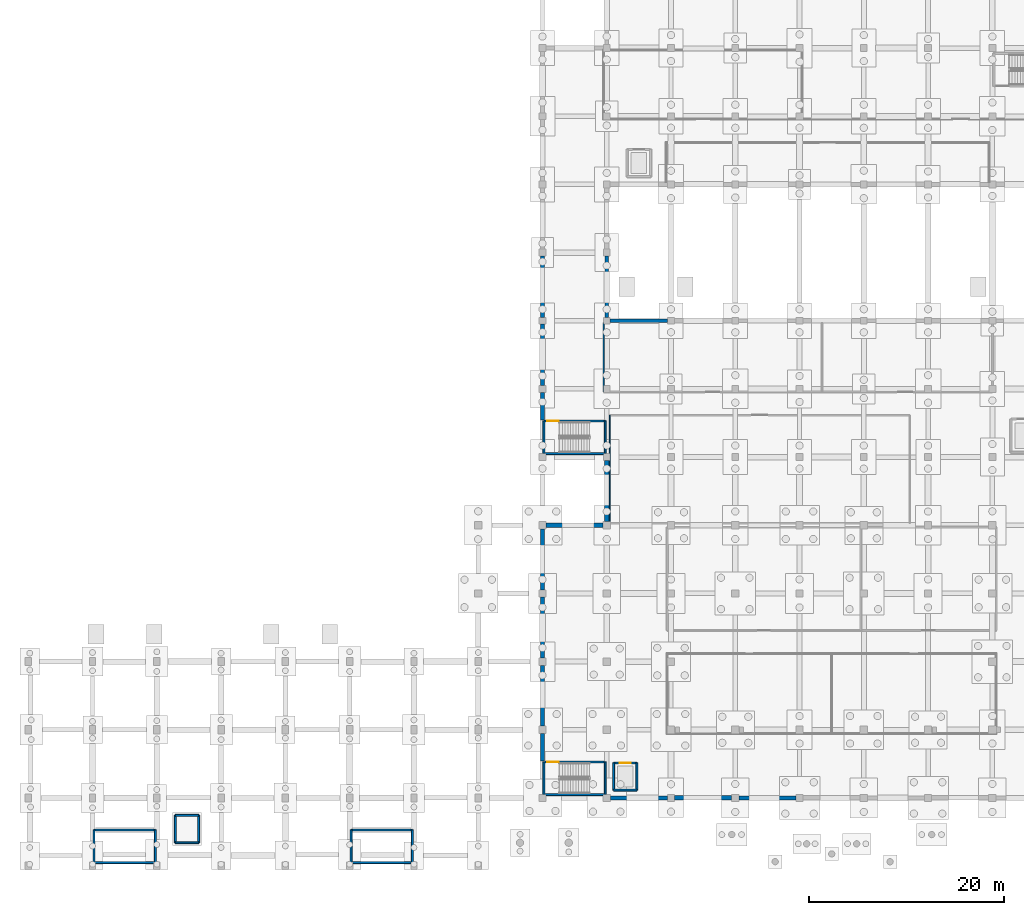
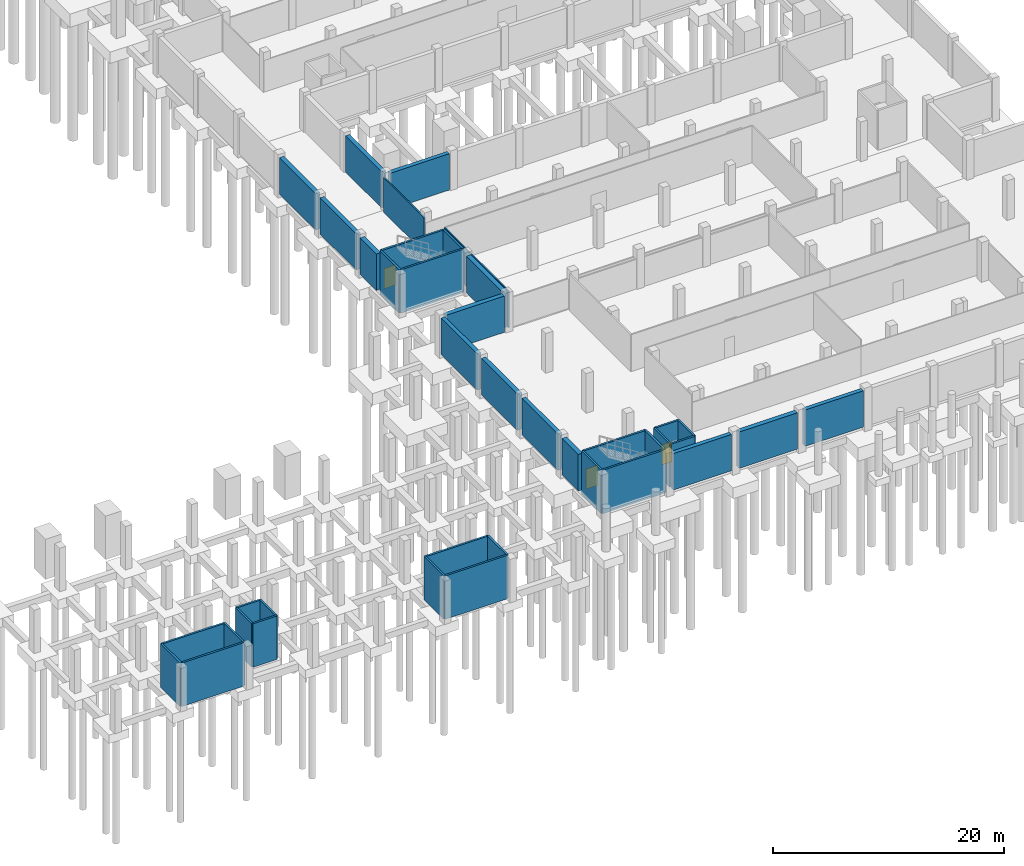
# One storey, part 16 of 27: 40 walls, 3 doors, 3 openings.
"""IFC4 building model written with IfcOpenShell, lengths in metres."""

from ifc_helpers import new_model, si_unit, direction, frame, frame_2d, origin, place, context, subcontext, project, spatial, rectangle, extrude, material, layer, layer_set, type_object, element, fill, save


model = new_model("IFC4")

# Units and contexts
model_context = context("Model", 3, precision=1e-05, world=origin(), true_north=direction((0.0, 1.0)))
body_context = subcontext(model_context, "Body", "Model", "MODEL_VIEW")
ifc_project = project(units=[si_unit("LENGTHUNIT", "METRE"), si_unit("AREAUNIT", "SQUARE_METRE"), si_unit("VOLUMEUNIT", "CUBIC_METRE"), si_unit("PLANEANGLEUNIT", "RADIAN"), si_unit("MASSUNIT", "GRAM", prefix="KILO")], contexts=[model_context])

# Site, building, storey
site_placement = place(None, origin())
site = spatial("IfcSite", under=ifc_project, at=site_placement, CompositionType="ELEMENT")
building_placement = place(site_placement, origin())
building = spatial("IfcBuilding", under=site, at=building_placement, Name="Ciguamira Faculty of Natural Sciences", CompositionType="ELEMENT")
storey_placement = place(building_placement, frame((0.0, 0.0, -4.199951171875)))
storey = spatial("IfcBuildingStorey", under=building, at=storey_placement, Name="B1", CompositionType="ELEMENT", Elevation=-4.199951171875)

# Walls
ifc_material_1 = material(Name="Concrete C40/50", Category="concrete")
ifc_layer_1 = layer(ifc_material_1, 0.449951171875, Name="Concrete C40/50")
ifc_layer_set_1 = layer_set([ifc_layer_1], Name="Concrete C40/50")
wall_type_1 = type_object("IfcWallType", Name="ExtWall_RW-01_450", PredefinedType="SHEAR", material=ifc_layer_set_1)
wall_1_placement = place(storey_placement, frame((70.875, 10.0, 0.0), z_axis=(0.0, 0.0, 1.0), x_axis=(1.0, 0.0, 0.0)))
element("IfcWall", 1, at=wall_1_placement, inside=storey, type_object=wall_type_1, Name="B1 exterior wall 0002", PredefinedType="SHEAR", context=body_context, shape_type="SweptSolid", body=[
    extrude(rectangle(XDim=5.85009765625, YDim=0.449951171875, at=frame_2d((2.925048828125, 0.0))), origin(), (0.0, 0.0, 1.0), 3.849853515625),
])
wall_2_placement = place(storey_placement, frame((57.675048828125, 38.0, 0.0), z_axis=(0.0, 0.0, 1.0), x_axis=(1.0, 0.0, 0.0)))
element("IfcWall", 2, at=wall_2_placement, inside=storey, type_object=wall_type_1, Name="B1 exterior wall 0008", PredefinedType="SHEAR", context=body_context, shape_type="SweptSolid", body=[
    extrude(rectangle(XDim=5.849853515625, YDim=0.449951171875, at=frame_2d((2.9248046875, 0.0))), origin(), (0.0, 0.0, 1.0), 3.849853515625),
])
wall_3_placement = place(storey_placement, frame((57.300048828125, 13.81005859375, 0.0), z_axis=(0.0, 0.0, 1.0), x_axis=(0.0, 1.0, 0.0)))
element("IfcWall", 3, at=wall_3_placement, inside=storey, type_object=wall_type_1, Name="B1 exterior wall 0034", PredefinedType="SHEAR", context=body_context, shape_type="SweptSolid", body=[
    extrude(rectangle(XDim=2.81494140625, YDim=0.449951171875, at=frame_2d((1.407470703125, 0.0))), origin(), (0.0, 0.0, 1.0), 3.849853515625),
])
wall_4_placement = place(storey_placement, frame((57.300048828125, 24.375, 0.0), z_axis=(0.0, 0.0, 1.0), x_axis=(0.0, 1.0, 0.0)))
element("IfcWall", 4, at=wall_4_placement, inside=storey, type_object=wall_type_1, Name="B1 exterior wall 0036", PredefinedType="SHEAR", context=body_context, shape_type="SweptSolid", body=[
    extrude(rectangle(XDim=6.25, YDim=0.449951171875, at=frame_2d((3.125, 0.0))), origin(), (0.0, 0.0, 1.0), 3.849853515625),
])
wall_5_placement = place(storey_placement, frame((57.300048828125, 48.81005859375, 0.0), z_axis=(0.0, 0.0, 1.0), x_axis=(0.0, 1.0, 0.0)))
element("IfcWall", 5, at=wall_5_placement, inside=storey, type_object=wall_type_1, Name="B1 exterior wall 0038", PredefinedType="SHEAR", context=body_context, shape_type="SweptSolid", body=[
    extrude(rectangle(XDim=2.83984375, YDim=0.449951171875, at=frame_2d((1.419921875, 0.0))), origin(), (0.0, 0.0, 1.0), 3.849853515625),
])
wall_6_placement = place(storey_placement, frame((57.300048828125, 59.35009765625, 0.0), z_axis=(0.0, 0.0, 1.0), x_axis=(0.0, 1.0, 0.0)))
element("IfcWall", 6, at=wall_6_placement, inside=storey, type_object=wall_type_1, Name="B1 exterior wall 0040", PredefinedType="SHEAR", context=body_context, shape_type="SweptSolid", body=[
    extrude(rectangle(XDim=6.2998046875, YDim=0.449951171875, at=frame_2d((3.14990234375, 0.0))), origin(), (0.0, 0.0, 1.0), 3.849853515625),
])
wall_7_placement = place(storey_placement, frame((63.89990234375, 38.375, 0.0), z_axis=(0.0, 0.0, 1.0), x_axis=(0.0, 1.0, 0.0)))
element("IfcWall", 7, at=wall_7_placement, inside=storey, type_object=wall_type_1, Name="B1 exterior wall 0044", PredefinedType="SHEAR", context=body_context, shape_type="SweptSolid", body=[
    extrude(rectangle(XDim=6.27490234375, YDim=0.449951171875, at=frame_2d((3.137451171875, 0.0))), origin(), (0.0, 0.0, 1.0), 3.849853515625),
])
ifc_layer_2 = layer(ifc_material_1, 0.39990234375, Name="Concrete C40/50")
ifc_layer_set_2 = layer_set([ifc_layer_2], Name="Concrete C40/50")
wall_type_2 = type_object("IfcWallType", Name="ExtWall_RW-02_400", PredefinedType="SHEAR", material=ifc_layer_set_2)
wall_8_placement = place(storey_placement, frame((64.27490234375, 10.0, 0.0), z_axis=(0.0, 0.0, 1.0), x_axis=(1.0, 0.0, 0.0)))
element("IfcWall", 8, at=wall_8_placement, inside=storey, type_object=wall_type_2, Name="B1 exterior wall 0001", PredefinedType="SHEAR", context=body_context, shape_type="SweptSolid", body=[
    extrude(rectangle(XDim=5.85009765625, YDim=0.39990234375, at=frame_2d((2.925048828125, 0.0))), origin(), (0.0, 0.0, 1.0), 3.849853515625),
])
wall_9_placement = place(storey_placement, frame((77.47509765625, 10.0, 0.0), z_axis=(0.0, 0.0, 1.0), x_axis=(1.0, 0.0, 0.0)))
element("IfcWall", 9, at=wall_9_placement, inside=storey, type_object=wall_type_2, Name="B1 exterior wall 0003", PredefinedType="SHEAR", context=body_context, shape_type="SweptSolid", body=[
    extrude(rectangle(XDim=5.849853515625, YDim=0.39990234375, at=frame_2d((2.9248046875, 0.0))), origin(), (0.0, 0.0, 1.0), 3.849853515625),
])
wall_10_placement = place(storey_placement, frame((64.25, 59.0, 0.0), z_axis=(0.0, 0.0, 1.0), x_axis=(1.0, 0.0, 0.0)))
element("IfcWall", 10, at=wall_10_placement, inside=storey, type_object=wall_type_2, Name="B1 exterior wall 0011", PredefinedType="SHEAR", context=body_context, shape_type="SweptSolid", body=[
    extrude(rectangle(XDim=5.89990234375, YDim=0.39990234375, at=frame_2d((2.949951171875, 0.0))), origin(), (0.0, 0.0, 1.0), 3.849853515625),
])
for number, where, z_axis, x_axis, name in (
    (11, (57.300048828125, 17.375, 0.0), (0.0, 0.0, 1.0), (0.0, 1.0, 0.0), "B1 exterior wall 0035"),
    (12, (57.300048828125, 31.375, 0.0), (0.0, 0.0, 1.0), (0.0, 1.0, 0.0), "B1 exterior wall 0037"),
):
    element("IfcWall", number, at=place(storey_placement, frame(where, z_axis=z_axis, x_axis=x_axis)), inside=storey, type_object=wall_type_2, Name=name, PredefinedType="SHEAR", context=body_context, shape_type="SweptSolid", body=[
        extrude(rectangle(XDim=6.25, YDim=0.39990234375, at=frame_2d((3.125, 0.0))), origin(), (0.0, 0.0, 1.0), 3.849853515625),
    ])
for number, where, z_axis, x_axis, name in (
    (13, (57.300048828125, 52.35009765625, 0.0), (0.0, 0.0, 1.0), (0.0, 1.0, 0.0), "B1 exterior wall 0039"),
    (14, (63.89990234375, 59.35009765625, 0.0), (0.0, 0.0, 1.0), (0.0, 1.0, 0.0), "B1 exterior wall 0045"),
):
    element("IfcWall", number, at=place(storey_placement, frame(where, z_axis=z_axis, x_axis=x_axis)), inside=storey, type_object=wall_type_2, Name=name, PredefinedType="SHEAR", context=body_context, shape_type="SweptSolid", body=[
        extrude(rectangle(XDim=6.2998046875, YDim=0.39990234375, at=frame_2d((3.14990234375, 0.0))), origin(), (0.0, 0.0, 1.0), 3.849853515625),
    ])
ifc_layer_3 = layer(ifc_material_1, 0.199951171875, Name="Concrete C40/50")
ifc_layer_set_3 = layer_set([ifc_layer_3], Name="Concrete C40/50")
wall_type_3 = type_object("IfcWallType", Name="IntWall_CW-S20_200", PredefinedType="SHEAR", material=ifc_layer_set_3)
wall_11_placement = place(storey_placement, frame((57.449951171875, 10.35009765625, -0.400146484375), z_axis=(0.0, 0.0, 1.0), x_axis=(1.0, 0.0, 0.0)))
element("IfcWall", 15, at=wall_11_placement, inside=storey, type_object=wall_type_3, Name="B1 ST-A1 core shear wall south", PredefinedType="SHEAR", context=body_context, shape_type="SweptSolid", body=[
    extrude(rectangle(XDim=6.300048828125, YDim=0.199951171875, at=frame_2d((3.14990234375, 0.0))), origin(), (0.0, 0.0, 1.0), 4.60009765625),
])

# Wall, opening, door
wall_12_placement = place(storey_placement, frame((57.449951171875, 13.7099609375, -0.400146484375), z_axis=(0.0, 0.0, 1.0), x_axis=(1.0, 0.0, 0.0)))
wall_12 = element("IfcWall", 16, at=wall_12_placement, inside=storey, type_object=wall_type_3, Name="B1 ST-A1 core shear wall north", PredefinedType="SHEAR", context=body_context, shape_type="SweptSolid", body=[
    extrude(rectangle(XDim=6.300048828125, YDim=0.199951171875, at=frame_2d((3.14990234375, 0.0))), origin(), (0.0, 0.0, 1.0), 4.60009765625),
])
opening_1_placement = place(wall_12_placement, frame((0.320068359375, 0.0, 0.39990234375)))
opening_1 = element("IfcOpeningElement", 17, at=opening_1_placement, cuts=wall_12, Name="Opening ID-14", PredefinedType="OPENING", context=body_context, shape_type="SweptSolid", body=[
    extrude(rectangle(XDim=1.199951171875, YDim=2.14990234375, at=frame_2d((0.60009765625, 1.074951171875))), frame((0.0, 0.10986328125, 0.0), z_axis=(0.0, -1.0, 0.0), x_axis=(1.0, 0.0, 0.0)), (0.0, 0.0, 1.0), 0.219970703125),
])
ifc_material_2 = material(Name="Protected exit stair fire door")
door_type_1 = type_object("IfcDoorType", Name="IntDoor_ID-14_1200x2150", OperationType="NOTDEFINED", PredefinedType="DOOR", material=ifc_material_2)
door_1_placement = place(opening_1_placement, frame((1.199951171875, 0.0, 0.0), z_axis=(0.0, 0.0, 1.0), x_axis=(-1.0, 0.0, 0.0)))
door_1 = element("IfcDoor", 18, at=door_1_placement, inside=storey, type_object=door_type_1, Name="B1 ST-A1 exit stair fire door", OperationType="SINGLE_SWING_LEFT", OverallHeight=2.14990234375, OverallWidth=1.199951171875, PredefinedType="DOOR", context=body_context, shape_type="SweptSolid", body=[
    extrude(rectangle(XDim=1.199951171875, YDim=2.14990234375, at=frame_2d((0.60009765625, 1.074951171875))), frame((0.0, 0.02490234375, 0.0), z_axis=(0.0, -1.0, 0.0), x_axis=(1.0, 0.0, 0.0)), (0.0, 0.0, 1.0), 0.050048828125),
])
fill(opening_1, door_1)

# Walls
for number, where, z_axis, x_axis, name in (
    (19, (57.449951171875, 10.35009765625, -0.400146484375), (0.0, 0.0, 1.0), (0.0, 1.0, 0.0), "B1 ST-A1 core shear wall west"),
    (20, (63.75, 10.35009765625, -0.400146484375), (0.0, 0.0, 1.0), (0.0, 1.0, 0.0), "B1 ST-A1 core shear wall east"),
):
    element("IfcWall", number, at=place(storey_placement, frame(where, z_axis=z_axis, x_axis=x_axis)), inside=storey, type_object=wall_type_3, Name=name, PredefinedType="SHEAR", context=body_context, shape_type="SweptSolid", body=[
        extrude(rectangle(XDim=3.35986328125, YDim=0.199951171875, at=frame_2d((1.679931640625, 0.0))), origin(), (0.0, 0.0, 1.0), 4.60009765625),
    ])
for number, where, z_axis, x_axis, name in (
    (21, (11.25, 3.35009765625, -0.400146484375), (0.0, 0.0, 1.0), (1.0, 0.0, 0.0), "B1 ST-C1 core shear wall south"),
    (22, (11.25, 6.7099609375, -0.400146484375), (0.0, 0.0, 1.0), (1.0, 0.0, 0.0), "B1 ST-C1 core shear wall north"),
):
    element("IfcWall", number, at=place(storey_placement, frame(where, z_axis=z_axis, x_axis=x_axis)), inside=storey, type_object=wall_type_3, Name=name, PredefinedType="SHEAR", context=body_context, shape_type="SweptSolid", body=[
        extrude(rectangle(XDim=6.300048828125, YDim=0.199951171875, at=frame_2d((3.14990234375, 0.0))), origin(), (0.0, 0.0, 1.0), 4.60009765625),
    ])
for number, where, z_axis, x_axis, name in (
    (23, (11.25, 3.35009765625, -0.400146484375), (0.0, 0.0, 1.0), (0.0, 1.0, 0.0), "B1 ST-C1 core shear wall west"),
    (24, (17.550048828125, 3.35009765625, -0.400146484375), (0.0, 0.0, 1.0), (0.0, 1.0, 0.0), "B1 ST-C1 core shear wall east"),
):
    element("IfcWall", number, at=place(storey_placement, frame(where, z_axis=z_axis, x_axis=x_axis)), inside=storey, type_object=wall_type_3, Name=name, PredefinedType="SHEAR", context=body_context, shape_type="SweptSolid", body=[
        extrude(rectangle(XDim=3.35986328125, YDim=0.199951171875, at=frame_2d((1.679931640625, 0.0))), origin(), (0.0, 0.0, 1.0), 4.60009765625),
    ])
for number, where, z_axis, x_axis, name in (
    (25, (37.64990234375, 3.35009765625, -0.400146484375), (0.0, 0.0, 1.0), (1.0, 0.0, 0.0), "B1 ST-C2 core shear wall south"),
    (26, (37.64990234375, 6.7099609375, -0.400146484375), (0.0, 0.0, 1.0), (1.0, 0.0, 0.0), "B1 ST-C2 core shear wall north"),
):
    element("IfcWall", number, at=place(storey_placement, frame(where, z_axis=z_axis, x_axis=x_axis)), inside=storey, type_object=wall_type_3, Name=name, PredefinedType="SHEAR", context=body_context, shape_type="SweptSolid", body=[
        extrude(rectangle(XDim=6.300048828125, YDim=0.199951171875, at=frame_2d((3.14990234375, 0.0))), origin(), (0.0, 0.0, 1.0), 4.60009765625),
    ])
for number, where, z_axis, x_axis, name in (
    (27, (37.64990234375, 3.35009765625, -0.400146484375), (0.0, 0.0, 1.0), (0.0, 1.0, 0.0), "B1 ST-C2 core shear wall west"),
    (28, (43.949951171875, 3.35009765625, -0.400146484375), (0.0, 0.0, 1.0), (0.0, 1.0, 0.0), "B1 ST-C2 core shear wall east"),
):
    element("IfcWall", number, at=place(storey_placement, frame(where, z_axis=z_axis, x_axis=x_axis)), inside=storey, type_object=wall_type_3, Name=name, PredefinedType="SHEAR", context=body_context, shape_type="SweptSolid", body=[
        extrude(rectangle(XDim=3.35986328125, YDim=0.199951171875, at=frame_2d((1.679931640625, 0.0))), origin(), (0.0, 0.0, 1.0), 4.60009765625),
    ])
wall_13_placement = place(storey_placement, frame((57.449951171875, 45.35009765625, -0.400146484375), z_axis=(0.0, 0.0, 1.0), x_axis=(1.0, 0.0, 0.0)))
element("IfcWall", 29, at=wall_13_placement, inside=storey, type_object=wall_type_3, Name="B1 ST-W1 core shear wall south", PredefinedType="SHEAR", context=body_context, shape_type="SweptSolid", body=[
    extrude(rectangle(XDim=6.300048828125, YDim=0.199951171875, at=frame_2d((3.14990234375, 0.0))), origin(), (0.0, 0.0, 1.0), 4.60009765625),
])

# Wall, opening, door
wall_14_placement = place(storey_placement, frame((57.449951171875, 48.7099609375, -0.400146484375), z_axis=(0.0, 0.0, 1.0), x_axis=(1.0, 0.0, 0.0)))
wall_14 = element("IfcWall", 30, at=wall_14_placement, inside=storey, type_object=wall_type_3, Name="B1 ST-W1 core shear wall north", PredefinedType="SHEAR", context=body_context, shape_type="SweptSolid", body=[
    extrude(rectangle(XDim=6.300048828125, YDim=0.199951171875, at=frame_2d((3.14990234375, 0.0))), origin(), (0.0, 0.0, 1.0), 4.60009765625),
])
opening_2_placement = place(wall_14_placement, frame((0.320068359375, 0.0, 0.39990234375)))
opening_2 = element("IfcOpeningElement", 31, at=opening_2_placement, cuts=wall_14, Name="Opening ID-14", PredefinedType="OPENING", context=body_context, shape_type="SweptSolid", body=[
    extrude(rectangle(XDim=1.199951171875, YDim=2.14990234375, at=frame_2d((0.60009765625, 1.074951171875))), frame((0.0, 0.10986328125, 0.0), z_axis=(0.0, -1.0, 0.0), x_axis=(1.0, 0.0, 0.0)), (0.0, 0.0, 1.0), 0.219970703125),
])
door_2_placement = place(opening_2_placement, frame((1.199951171875, 0.0, 0.0), z_axis=(0.0, 0.0, 1.0), x_axis=(-1.0, 0.0, 0.0)))
door_2 = element("IfcDoor", 32, at=door_2_placement, inside=storey, type_object=door_type_1, Name="B1 ST-W1 exit stair fire door", OperationType="SINGLE_SWING_RIGHT", OverallHeight=2.14990234375, OverallWidth=1.199951171875, PredefinedType="DOOR", context=body_context, shape_type="SweptSolid", body=[
    extrude(rectangle(XDim=1.199951171875, YDim=2.14990234375, at=frame_2d((0.60009765625, 1.074951171875))), frame((0.0, 0.02490234375, 0.0), z_axis=(0.0, -1.0, 0.0), x_axis=(1.0, 0.0, 0.0)), (0.0, 0.0, 1.0), 0.050048828125),
])
fill(opening_2, door_2)

# Walls
for number, where, z_axis, x_axis, name in (
    (33, (57.449951171875, 45.35009765625, -0.400146484375), (0.0, 0.0, 1.0), (0.0, 1.0, 0.0), "B1 ST-W1 core shear wall west"),
    (34, (63.75, 45.35009765625, -0.400146484375), (0.0, 0.0, 1.0), (0.0, 1.0, 0.0), "B1 ST-W1 core shear wall east"),
):
    element("IfcWall", number, at=place(storey_placement, frame(where, z_axis=z_axis, x_axis=x_axis)), inside=storey, type_object=wall_type_3, Name=name, PredefinedType="SHEAR", context=body_context, shape_type="SweptSolid", body=[
        extrude(rectangle(XDim=3.35986328125, YDim=0.199951171875, at=frame_2d((1.679931640625, 0.0))), origin(), (0.0, 0.0, 1.0), 4.60009765625),
    ])
for number, where, z_axis, x_axis, name in (
    (35, (19.60009765625, 5.39990234375, -0.400146484375), (0.0, 0.0, 1.0), (1.0, 0.0, 0.0), "B1 EL-P2 hoistway wall south"),
    (36, (19.60009765625, 8.199951171875, -0.400146484375), (0.0, 0.0, 1.0), (1.0, 0.0, 0.0), "B1 EL-P2 hoistway wall north"),
):
    element("IfcWall", number, at=place(storey_placement, frame(where, z_axis=z_axis, x_axis=x_axis)), inside=storey, type_object=wall_type_3, Name=name, PredefinedType="SHEAR", context=body_context, shape_type="SweptSolid", body=[
        extrude(rectangle(XDim=2.39990234375, YDim=0.199951171875, at=frame_2d((1.199951171875, 0.0))), origin(), (0.0, 0.0, 1.0), 4.60009765625),
    ])
for number, where, z_axis, x_axis, name in (
    (37, (19.60009765625, 5.39990234375, -0.400146484375), (0.0, 0.0, 1.0), (0.0, 1.0, 0.0), "B1 EL-P2 hoistway wall west"),
    (38, (22.0, 5.39990234375, -0.400146484375), (0.0, 0.0, 1.0), (0.0, 1.0, 0.0), "B1 EL-P2 hoistway wall east"),
):
    element("IfcWall", number, at=place(storey_placement, frame(where, z_axis=z_axis, x_axis=x_axis)), inside=storey, type_object=wall_type_3, Name=name, PredefinedType="SHEAR", context=body_context, shape_type="SweptSolid", body=[
        extrude(rectangle(XDim=2.800048828125, YDim=0.199951171875, at=frame_2d((1.39990234375, 0.0))), origin(), (0.0, 0.0, 1.0), 4.60009765625),
    ])
wall_15_placement = place(storey_placement, frame((64.60009765625, 10.800048828125, -0.400146484375), z_axis=(0.0, 0.0, 1.0), x_axis=(1.0, 0.0, 0.0)))
element("IfcWall", 39, at=wall_15_placement, inside=storey, type_object=wall_type_3, Name="B1 EL-P3 hoistway wall south", PredefinedType="SHEAR", context=body_context, shape_type="SweptSolid", body=[
    extrude(rectangle(XDim=2.39990234375, YDim=0.199951171875, at=frame_2d((1.199951171875, 0.0))), origin(), (0.0, 0.0, 1.0), 4.60009765625),
])

# Wall, opening, door
wall_16_placement = place(storey_placement, frame((64.60009765625, 13.60009765625, -0.400146484375), z_axis=(0.0, 0.0, 1.0), x_axis=(1.0, 0.0, 0.0)))
wall_16 = element("IfcWall", 40, at=wall_16_placement, inside=storey, type_object=wall_type_3, Name="B1 EL-P3 hoistway wall north", PredefinedType="SHEAR", context=body_context, shape_type="SweptSolid", body=[
    extrude(rectangle(XDim=2.39990234375, YDim=0.199951171875, at=frame_2d((1.199951171875, 0.0))), origin(), (0.0, 0.0, 1.0), 4.60009765625),
])
opening_3_placement = place(wall_16_placement, frame((0.64990234375, 0.0, 0.39990234375)))
opening_3 = element("IfcOpeningElement", 41, at=opening_3_placement, cuts=wall_16, Name="Opening LD-01", PredefinedType="OPENING", context=body_context, shape_type="SweptSolid", body=[
    extrude(rectangle(XDim=1.10009765625, YDim=2.14990234375, at=frame_2d((0.550048828125, 1.074951171875))), frame((0.0, 0.10986328125, 0.0), z_axis=(0.0, -1.0, 0.0), x_axis=(1.0, 0.0, 0.0)), (0.0, 0.0, 1.0), 0.219970703125),
])
ifc_material_3 = material(Name="Passenger elevator sliding landing door")
door_type_2 = type_object("IfcDoorType", Name="LiftLandingDoor_LD-01_1100x2150", OperationType="SLIDING_TO_LEFT", PredefinedType="DOOR", material=ifc_material_3)
door_3_placement = place(opening_3_placement, origin())
door_3 = element("IfcDoor", 42, at=door_3_placement, inside=storey, type_object=door_type_2, Name="B1 EL-P3 elevator landing sliding door", OperationType="SLIDING_TO_LEFT", OverallHeight=2.14990234375, OverallWidth=1.10009765625, PredefinedType="DOOR", context=body_context, shape_type="SweptSolid", body=[
    extrude(rectangle(XDim=1.10009765625, YDim=2.14990234375, at=frame_2d((0.550048828125, 1.074951171875))), frame((0.0, 0.02490234375, 0.0), z_axis=(0.0, -1.0, 0.0), x_axis=(1.0, 0.0, 0.0)), (0.0, 0.0, 1.0), 0.050048828125),
])
fill(opening_3, door_3)

# Walls
for number, where, z_axis, x_axis, name in (
    (43, (64.60009765625, 10.800048828125, -0.400146484375), (0.0, 0.0, 1.0), (0.0, 1.0, 0.0), "B1 EL-P3 hoistway wall west"),
    (44, (67.0, 10.800048828125, -0.400146484375), (0.0, 0.0, 1.0), (0.0, 1.0, 0.0), "B1 EL-P3 hoistway wall east"),
):
    element("IfcWall", number, at=place(storey_placement, frame(where, z_axis=z_axis, x_axis=x_axis)), inside=storey, type_object=wall_type_3, Name=name, PredefinedType="SHEAR", context=body_context, shape_type="SweptSolid", body=[
        extrude(rectangle(XDim=2.800048828125, YDim=0.199951171875, at=frame_2d((1.39990234375, 0.0))), origin(), (0.0, 0.0, 1.0), 4.60009765625),
    ])
ifc_material_4 = material(Name="Acoustic double-stud gypsum partition")
ifc_layer_4 = layer(ifc_material_4, 0.1201171875, Name="Acoustic double-stud gypsum partition")
ifc_layer_set_4 = layer_set([ifc_layer_4], Name="Acoustic double-stud gypsum partition")
wall_type_4 = type_object("IfcWallType", Name="IntWall_IW-A12_120", PredefinedType="PARTITIONING", material=ifc_layer_set_4)
wall_17_placement = place(storey_placement, frame((64.199951171875, 38.199951171875, 0.0), z_axis=(0.0, 0.0, 1.0), x_axis=(0.0, 1.0, 0.0)))
element("IfcWall", 45, at=wall_17_placement, inside=storey, type_object=wall_type_4, Name="B1 B1 South Lab Seminar Room partition west", PredefinedType="PARTITIONING", context=body_context, shape_type="SweptSolid", body=[
    extrude(rectangle(XDim=11.10009765625, YDim=0.1201171875, at=frame_2d((5.550048828125, 0.0))), origin(), (0.0, 0.0, 1.0), 3.89990234375),
])
ifc_material_5 = material(Name="Moisture-resistant service chase wall")
ifc_layer_5 = layer(ifc_material_5, 0.139892578125, Name="Moisture-resistant service chase wall")
ifc_layer_set_5 = layer_set([ifc_layer_5], Name="Moisture-resistant service chase wall")
wall_type_5 = type_object("IfcWallType", Name="IntWall_IW-P14_140", PredefinedType="PLUMBINGWALL", material=ifc_layer_set_5)
wall_18_placement = place(storey_placement, frame((63.60009765625, 51.699951171875, 0.0), z_axis=(0.0, 0.0, 1.0), x_axis=(0.0, 1.0, 0.0)))
element("IfcWall", 46, at=wall_18_placement, inside=storey, type_object=wall_type_5, Name="B1 Marine Hydraulics Wave Flume Laboratory partition west", PredefinedType="PLUMBINGWALL", context=body_context, shape_type="SweptSolid", body=[
    extrude(rectangle(XDim=7.10009765625, YDim=0.139892578125, at=frame_2d((3.550048828125, 0.0))), origin(), (0.0, 0.0, 1.0), 3.6650390625),
])

save(model, "model.ifc")
